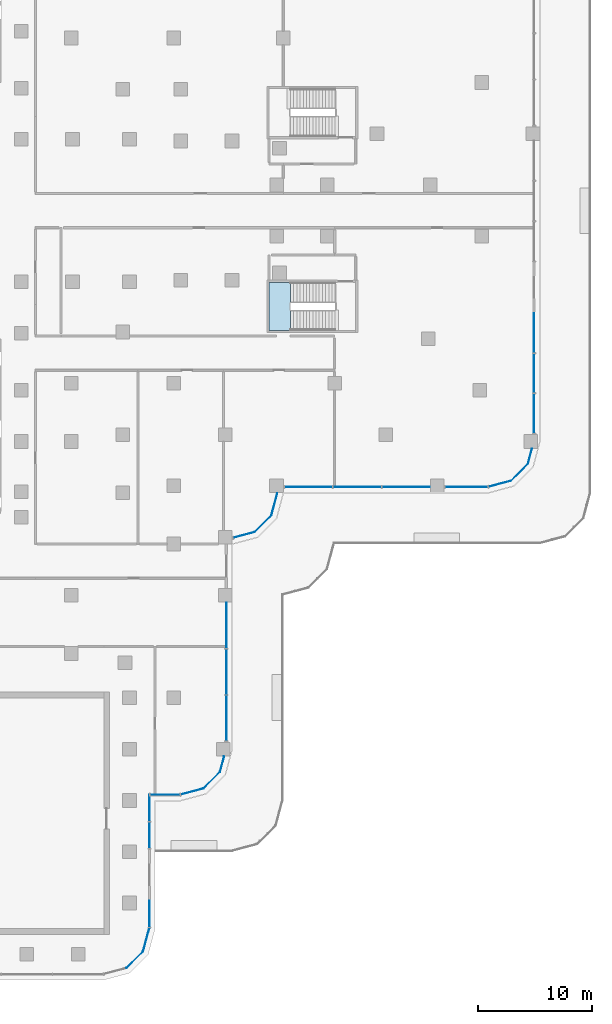
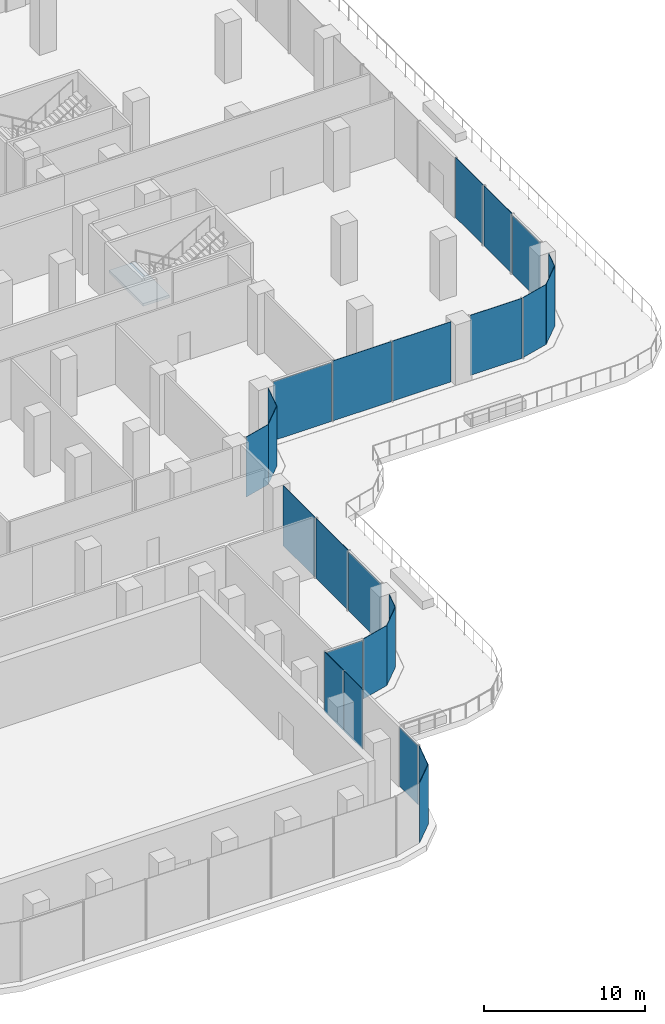
# One storey, part 12 of 30: 25 plates, 1 slab, 17 elements without a shape of their own.
"""IFC4 building model written with IfcOpenShell, lengths in metres."""

from ifc_helpers import new_model, si_unit, direction, frame, origin, place, context, subcontext, project, spatial, polyline, outline, extrude, source, transform, mapped, material, layer, layer_set, type_object, element, aggregate, save


model = new_model("IFC4")

# Units and contexts
model_context = context("Model", 3, precision=1e-05, world=origin(), true_north=direction((0.0, 1.0)))
body_context = subcontext(model_context, "Body", "Model", "MODEL_VIEW")
ifc_project = project(units=[si_unit("LENGTHUNIT", "METRE"), si_unit("AREAUNIT", "SQUARE_METRE"), si_unit("VOLUMEUNIT", "CUBIC_METRE"), si_unit("PLANEANGLEUNIT", "RADIAN"), si_unit("MASSUNIT", "GRAM", prefix="KILO")], contexts=[model_context])

# Site, building, storey
site_placement = place(None, origin())
site = spatial("IfcSite", under=ifc_project, at=site_placement, CompositionType="ELEMENT")
building_placement = place(site_placement, origin())
building = spatial("IfcBuilding", under=site, at=building_placement, Name="Zarbagh Exchange Tower", CompositionType="ELEMENT")
storey_placement = place(building_placement, frame((0.0, 0.0, 7.0)))
storey = spatial("IfcBuildingStorey", under=building, at=storey_placement, Name="L01", CompositionType="ELEMENT", Elevation=7.0)

# Stair, slab
ifc_material_1 = material(Name="Concrete C40/50", Category="concrete")
stair_type = type_object("IfcStairType", Name="Exit stair two-flight half-turn", PredefinedType="HALF_TURN_STAIR", material=ifc_material_1)
stair_placement = place(storey_placement, origin())
stair = element("IfcStair", 1, at=stair_placement, inside=storey, type_object=stair_type, Name="exit stair PS6", PredefinedType="HALF_TURN_STAIR")
ifc_layer_1 = layer(ifc_material_1, 0.199951171875)
ifc_layer_set_1 = layer_set([ifc_layer_1], Name="Stair landing 200 mm")
slab_type = type_object("IfcSlabType", Name="Stair landing 200 mm", PredefinedType="LANDING", material=ifc_layer_set_1)
slab_placement = place(storey_placement, frame((0.0, 0.0, 2.300048828125)))
slab = element("IfcSlab", 2, at=slab_placement, type_object=slab_type, Name="PS6 landing 1", PredefinedType="LANDING", context=body_context, shape_type="SweptSolid", body=[
    extrude(outline(polyline([(29.8798828125, -6.300048828125), (28.0, -6.300048828125), (28.0, -10.5), (29.8798828125, -10.5), (29.8798828125, -6.300048828125)])), origin(), (0.0, 0.0, 1.0), 0.199951171875),
])
aggregate(stair, [slab])

# Curtain wall, plate
ifc_material_2 = material(Name="Anodised aluminium frame and glazing", Category="aluminium")
curtain_wall_type_1 = type_object("IfcCurtainWallType", Name="CWD Exchange hall wall glazing", PredefinedType="NOTDEFINED", material=ifc_material_2)
curtain_wall_1_placement = place(storey_placement, origin())
curtain_wall_1 = element("IfcCurtainWall", 3, at=curtain_wall_1_placement, inside=storey, type_object=curtain_wall_type_1, Name="CWD02 curtain wall", PredefinedType="NOTDEFINED")
ifc_material_3 = material(Name="Low-e double glazed unit, 6+12+6 mm")
ifc_layer_2 = layer(ifc_material_3, 0.035888671875)
ifc_layer_set_2 = layer_set([ifc_layer_2], Name="PAD Glazing panel, Low-e double glazed unit, 6+12+6 mm")
plate_type_1 = type_object("IfcPlateType", Name="PAD Glazing panel, Low-e double glazed unit, 6+12+6 mm", PredefinedType="CURTAIN_PANEL", material=ifc_layer_set_2)
shared_shape_1 = source(origin(), body_context, "Body", "SweptSolid", [
    extrude(outline(polyline([(0.0, -0.01806640625), (2.061279296875, -0.01806640625), (2.061279296875, 0.01806640625), (0.0, 0.01806640625), (0.0, -0.01806640625)])), origin(), (0.0, 0.0, 1.0), 4.550048828125),
])
placement = place(storey_placement, origin())
plate_1 = element("IfcPlate", 4, at=placement, type_object=plate_type_1, Name="CWD02 glazing panel 1.1", PredefinedType="CURTAIN_PANEL", context=body_context, shape_type="MappedRepresentation", body=[
    mapped(shared_shape_1, transform((15.4912109375, -66.44873046875, 0.0), x_axis=(0.707106781187, 0.707106781187, 0.0), y_axis=(-0.707106781187, 0.707106781187, 0.0), z_axis=(0.0, 0.0, 1.0))),
])
aggregate(curtain_wall_1, [plate_1])

curtain_wall_2_placement = place(storey_placement, origin())
curtain_wall_2 = element("IfcCurtainWall", 5, at=curtain_wall_2_placement, inside=storey, type_object=curtain_wall_type_1, Name="CWD03 curtain wall", PredefinedType="NOTDEFINED")
shared_shape_2 = source(origin(), body_context, "Body", "SweptSolid", [
    extrude(outline(polyline([(0.0, -0.01806640625), (2.129638671875, -0.01806640625), (2.129638671875, 0.01806640625), (0.0, 0.01806640625), (0.0, -0.01806640625)])), origin(), (0.0, 0.0, 1.0), 4.550048828125),
])
plate_2 = element("IfcPlate", 6, at=placement, type_object=plate_type_1, Name="CWD03 glazing panel 1.1", PredefinedType="CURTAIN_PANEL", context=body_context, shape_type="MappedRepresentation", body=[
    mapped(shared_shape_2, transform((16.94873046875, -64.9912109375, 0.0), x_axis=(0.258824779902, 0.965924289636, 0.0), y_axis=(-0.965924289636, 0.258824779902, 0.0), z_axis=(0.0, 0.0, 1.0))),
])
aggregate(curtain_wall_2, [plate_2])

# Curtain wall, plates
curtain_wall_3_placement = place(storey_placement, origin())
curtain_wall_3 = element("IfcCurtainWall", 7, at=curtain_wall_3_placement, inside=storey, type_object=curtain_wall_type_1, Name="CWD10 curtain wall", PredefinedType="NOTDEFINED")
shared_shape_3 = source(origin(), body_context, "Body", "SweptSolid", [
    extrude(outline(polyline([(0.0, -0.01806640625), (2.31201171875, -0.01806640625), (2.31201171875, 0.01806640625), (0.0, 0.01806640625), (0.0, -0.01806640625)])), origin(), (0.0, 0.0, 1.0), 4.469970703125),
])
plate_3 = element("IfcPlate", 8, at=placement, type_object=plate_type_1, Name="CWD10 glazing panel 1.1", PredefinedType="CURTAIN_PANEL", context=body_context, shape_type="MappedRepresentation", body=[
    mapped(shared_shape_3, transform((17.5, -62.854248046875, 0.0), x_axis=(0.0, 1.0, 0.0), y_axis=(-1.0, 0.0, 0.0), z_axis=(0.0, 0.0, 1.0))),
])
shared_shape_4 = source(origin(), body_context, "Body", "SweptSolid", [
    extrude(outline(polyline([(0.0, -0.01806640625), (2.316162109375, -0.01806640625), (2.316162109375, 0.01806640625), (0.0, 0.01806640625), (0.0, -0.01806640625)])), origin(), (0.0, 0.0, 1.0), 4.550048828125),
])
plate_4 = element("IfcPlate", 9, at=placement, type_object=plate_type_1, Name="CWD10 glazing panel 2.1", PredefinedType="CURTAIN_PANEL", context=body_context, shape_type="MappedRepresentation", body=[
    mapped(shared_shape_4, transform((17.5, -55.962158203125, 0.0), x_axis=(0.0, 1.0, 0.0), y_axis=(-1.0, 0.0, 0.0), z_axis=(0.0, 0.0, 1.0))),
])
plate_5 = element("IfcPlate", 10, at=placement, type_object=plate_type_1, Name="CWD10 glazing panel 2.2", PredefinedType="CURTAIN_PANEL", context=body_context, shape_type="MappedRepresentation", body=[
    mapped(shared_shape_4, transform((17.5, -53.56591796875, 0.0), x_axis=(0.0, 1.0, 0.0), y_axis=(-1.0, 0.0, 0.0), z_axis=(0.0, 0.0, 1.0))),
])
aggregate(curtain_wall_3, [plate_3, plate_4, plate_5])

# Curtain wall, plate
curtain_wall_type_2 = type_object("IfcCurtainWallType", Name="CWC Podium garden-wall glazing", PredefinedType="NOTDEFINED", material=ifc_material_2)
curtain_wall_4_placement = place(storey_placement, origin())
curtain_wall_4 = element("IfcCurtainWall", 11, at=curtain_wall_4_placement, inside=storey, type_object=curtain_wall_type_2, Name="CWC50 curtain wall", PredefinedType="NOTDEFINED")
ifc_layer_3 = layer(ifc_material_3, 0.031982421875)
ifc_layer_set_3 = layer_set([ifc_layer_3], Name="PAC Glazing panel, Low-e double glazed unit, 6+12+6 mm")
plate_type_2 = type_object("IfcPlateType", Name="PAC Glazing panel, Low-e double glazed unit, 6+12+6 mm", PredefinedType="CURTAIN_PANEL", material=ifc_layer_set_3)
shared_shape_5 = source(origin(), body_context, "Body", "SweptSolid", [
    extrude(outline(polyline([(0.0, -0.01611328125), (2.604248046875, -0.01611328125), (2.604248046875, 0.01611328125), (0.0, 0.01611328125), (0.0, -0.01611328125)])), origin(), (0.0, 0.0, 1.0), 4.469970703125),
])
plate_6 = element("IfcPlate", 12, at=placement, type_object=plate_type_2, Name="CWC50 glazing panel 1.1", PredefinedType="CURTAIN_PANEL", context=body_context, shape_type="MappedRepresentation", body=[
    mapped(shared_shape_5, transform((17.580078125, -51.25, 0.0), x_axis=(1.0, 0.0, 0.0), y_axis=(0.0, 1.0, 0.0), z_axis=(0.0, 0.0, 1.0))),
])
aggregate(curtain_wall_4, [plate_6])

curtain_wall_5_placement = place(storey_placement, origin())
curtain_wall_5 = element("IfcCurtainWall", 13, at=curtain_wall_5_placement, inside=storey, type_object=curtain_wall_type_2, Name="CWC51 curtain wall", PredefinedType="NOTDEFINED")
shared_shape_6 = source(origin(), body_context, "Body", "SweptSolid", [
    extrude(outline(polyline([(0.0, -0.01611328125), (2.049560546875, -0.01611328125), (2.049560546875, 0.01611328125), (0.0, 0.01611328125), (0.0, -0.01611328125)])), origin(), (0.0, 0.0, 1.0), 4.550048828125),
])
plate_7 = element("IfcPlate", 14, at=placement, type_object=plate_type_2, Name="CWC51 glazing panel 1.1", PredefinedType="CURTAIN_PANEL", context=body_context, shape_type="MappedRepresentation", body=[
    mapped(shared_shape_6, transform((20.261474609375, -51.229248046875, 0.0), x_axis=(0.965924289636, 0.258824779902, 0.0), y_axis=(-0.258824779902, 0.965924289636, 0.0), z_axis=(0.0, 0.0, 1.0))),
])
aggregate(curtain_wall_5, [plate_7])

curtain_wall_6_placement = place(storey_placement, origin())
curtain_wall_6 = element("IfcCurtainWall", 15, at=curtain_wall_6_placement, inside=storey, type_object=curtain_wall_type_2, Name="CWC59 curtain wall", PredefinedType="NOTDEFINED")
plate_8 = element("IfcPlate", 16, at=placement, type_object=plate_type_2, Name="CWC59 glazing panel 1.1", PredefinedType="CURTAIN_PANEL", context=body_context, shape_type="MappedRepresentation", body=[
    mapped(shared_shape_6, transform((47.261474609375, -24.229248046875, 0.0), x_axis=(0.965924289636, 0.258824779902, 0.0), y_axis=(-0.258824779902, 0.965924289636, 0.0), z_axis=(0.0, 0.0, 1.0))),
])
aggregate(curtain_wall_6, [plate_8])

curtain_wall_7_placement = place(storey_placement, origin())
curtain_wall_7 = element("IfcCurtainWall", 17, at=curtain_wall_7_placement, inside=storey, type_object=curtain_wall_type_2, Name="CWC52 curtain wall", PredefinedType="NOTDEFINED")
shared_shape_7 = source(origin(), body_context, "Body", "SweptSolid", [
    extrude(outline(polyline([(0.0, -0.01611328125), (2.061279296875, -0.01611328125), (2.061279296875, 0.01611328125), (0.0, 0.01611328125), (0.0, -0.01611328125)])), origin(), (0.0, 0.0, 1.0), 4.550048828125),
])
plate_9 = element("IfcPlate", 18, at=placement, type_object=plate_type_2, Name="CWC52 glazing panel 1.1", PredefinedType="CURTAIN_PANEL", context=body_context, shape_type="MappedRepresentation", body=[
    mapped(shared_shape_7, transform((22.2412109375, -50.69873046875, 0.0), x_axis=(0.707106781187, 0.707106781187, 0.0), y_axis=(-0.707106781187, 0.707106781187, 0.0), z_axis=(0.0, 0.0, 1.0))),
])
aggregate(curtain_wall_7, [plate_9])

curtain_wall_8_placement = place(storey_placement, origin())
curtain_wall_8 = element("IfcCurtainWall", 19, at=curtain_wall_8_placement, inside=storey, type_object=curtain_wall_type_2, Name="CWC56 curtain wall", PredefinedType="NOTDEFINED")
plate_10 = element("IfcPlate", 20, at=placement, type_object=plate_type_2, Name="CWC56 glazing panel 1.1", PredefinedType="CURTAIN_PANEL", context=body_context, shape_type="MappedRepresentation", body=[
    mapped(shared_shape_7, transform((26.7412109375, -28.19873046875, 0.0), x_axis=(0.707106781187, 0.707106781187, 0.0), y_axis=(-0.707106781187, 0.707106781187, 0.0), z_axis=(0.0, 0.0, 1.0))),
])
aggregate(curtain_wall_8, [plate_10])

curtain_wall_9_placement = place(storey_placement, origin())
curtain_wall_9 = element("IfcCurtainWall", 21, at=curtain_wall_9_placement, inside=storey, type_object=curtain_wall_type_2, Name="CWC60 curtain wall", PredefinedType="NOTDEFINED")
plate_11 = element("IfcPlate", 22, at=placement, type_object=plate_type_2, Name="CWC60 glazing panel 1.1", PredefinedType="CURTAIN_PANEL", context=body_context, shape_type="MappedRepresentation", body=[
    mapped(shared_shape_7, transform((49.2412109375, -23.69873046875, 0.0), x_axis=(0.707106781187, 0.707106781187, 0.0), y_axis=(-0.707106781187, 0.707106781187, 0.0), z_axis=(0.0, 0.0, 1.0))),
])
aggregate(curtain_wall_9, [plate_11])

curtain_wall_10_placement = place(storey_placement, origin())
curtain_wall_10 = element("IfcCurtainWall", 23, at=curtain_wall_10_placement, inside=storey, type_object=curtain_wall_type_2, Name="CWC53 curtain wall", PredefinedType="NOTDEFINED")
shared_shape_8 = source(origin(), body_context, "Body", "SweptSolid", [
    extrude(outline(polyline([(0.0, -0.01611328125), (1.398681640625, -0.01611328125), (1.398681640625, 0.01611328125), (0.0, 0.01611328125), (0.0, -0.01611328125)])), origin(), (0.0, 0.0, 1.0), 4.550048828125),
])
plate_12 = element("IfcPlate", 24, at=placement, type_object=plate_type_2, Name="CWC53 glazing panel 1.1", PredefinedType="CURTAIN_PANEL", context=body_context, shape_type="MappedRepresentation", body=[
    mapped(shared_shape_8, transform((23.69873046875, -49.2412109375, 0.0), x_axis=(0.258824779902, 0.965924289636, 0.0), y_axis=(-0.965924289636, 0.258824779902, 0.0), z_axis=(0.0, 0.0, 1.0))),
])
aggregate(curtain_wall_10, [plate_12])

curtain_wall_11_placement = place(storey_placement, origin())
curtain_wall_11 = element("IfcCurtainWall", 25, at=curtain_wall_11_placement, inside=storey, type_object=curtain_wall_type_2, Name="CWC61 curtain wall", PredefinedType="NOTDEFINED")
plate_13 = element("IfcPlate", 26, at=placement, type_object=plate_type_2, Name="CWC61 glazing panel 1.1", PredefinedType="CURTAIN_PANEL", context=body_context, shape_type="MappedRepresentation", body=[
    mapped(shared_shape_8, transform((50.69873046875, -22.2412109375, 0.0), x_axis=(0.258824779902, 0.965924289636, 0.0), y_axis=(-0.965924289636, 0.258824779902, 0.0), z_axis=(0.0, 0.0, 1.0))),
])
aggregate(curtain_wall_11, [plate_13])

# Curtain wall, plates
curtain_wall_12_placement = place(storey_placement, origin())
curtain_wall_12 = element("IfcCurtainWall", 27, at=curtain_wall_12_placement, inside=storey, type_object=curtain_wall_type_2, Name="CWC54 curtain wall", PredefinedType="NOTDEFINED")
shared_shape_9 = source(origin(), body_context, "Body", "SweptSolid", [
    extrude(outline(polyline([(0.0, -0.01611328125), (3.993408203125, -0.01611328125), (3.993408203125, 0.01611328125), (0.0, 0.01611328125), (0.0, -0.01611328125)])), origin(), (0.0, 0.0, 1.0), 4.469970703125),
])
plate_14 = element("IfcPlate", 28, at=placement, type_object=plate_type_2, Name="CWC54 glazing panel 1.1", PredefinedType="CURTAIN_PANEL", context=body_context, shape_type="MappedRepresentation", body=[
    mapped(shared_shape_9, transform((24.25, -46.530029296875, 0.0), x_axis=(0.0, 1.0, 0.0), y_axis=(-1.0, 0.0, 0.0), z_axis=(0.0, 0.0, 1.0))),
])
shared_shape_10 = source(origin(), body_context, "Body", "SweptSolid", [
    extrude(outline(polyline([(0.0, -0.01611328125), (3.993408203125, -0.01611328125), (3.993408203125, 0.01611328125), (0.0, 0.01611328125), (0.0, -0.01611328125)])), origin(), (0.0, 0.0, 1.0), 4.550048828125),
])
plate_15 = element("IfcPlate", 29, at=placement, type_object=plate_type_2, Name="CWC54 glazing panel 1.2", PredefinedType="CURTAIN_PANEL", context=body_context, shape_type="MappedRepresentation", body=[
    mapped(shared_shape_10, transform((24.25, -42.45654296875, 0.0), x_axis=(0.0, 1.0, 0.0), y_axis=(-1.0, 0.0, 0.0), z_axis=(0.0, 0.0, 1.0))),
])
plate_16 = element("IfcPlate", 30, at=placement, type_object=plate_type_2, Name="CWC54 glazing panel 1.3", PredefinedType="CURTAIN_PANEL", context=body_context, shape_type="MappedRepresentation", body=[
    mapped(shared_shape_10, transform((24.25, -38.38330078125, 0.0), x_axis=(0.0, 1.0, 0.0), y_axis=(-1.0, 0.0, 0.0), z_axis=(0.0, 0.0, 1.0))),
])
aggregate(curtain_wall_12, [plate_14, plate_15, plate_16])

# Curtain wall, plate
curtain_wall_13_placement = place(storey_placement, origin())
curtain_wall_13 = element("IfcCurtainWall", 31, at=curtain_wall_13_placement, inside=storey, type_object=curtain_wall_type_2, Name="CWC55 curtain wall", PredefinedType="NOTDEFINED")
shared_shape_11 = source(origin(), body_context, "Body", "SweptSolid", [
    extrude(outline(polyline([(0.0, -0.01611328125), (1.93994140625, -0.01611328125), (1.93994140625, 0.01611328125), (0.0, 0.01611328125), (0.0, -0.01611328125)])), origin(), (0.0, 0.0, 1.0), 4.550048828125),
])
plate_17 = element("IfcPlate", 32, at=placement, type_object=plate_type_2, Name="CWC55 glazing panel 1.1", PredefinedType="CURTAIN_PANEL", context=body_context, shape_type="MappedRepresentation", body=[
    mapped(shared_shape_11, transform((24.867431640625, -28.700927734375, 0.0), x_axis=(0.965924289636, 0.258824779902, 0.0), y_axis=(-0.258824779902, 0.965924289636, 0.0), z_axis=(0.0, 0.0, 1.0))),
])
aggregate(curtain_wall_13, [plate_17])

curtain_wall_14_placement = place(storey_placement, origin())
curtain_wall_14 = element("IfcCurtainWall", 33, at=curtain_wall_14_placement, inside=storey, type_object=curtain_wall_type_2, Name="CWC57 curtain wall", PredefinedType="NOTDEFINED")
shared_shape_12 = source(origin(), body_context, "Body", "SweptSolid", [
    extrude(outline(polyline([(0.0, -0.01611328125), (2.02001953125, -0.01611328125), (2.02001953125, 0.01611328125), (0.0, 0.01611328125), (0.0, -0.01611328125)])), origin(), (0.0, 0.0, 1.0), 4.550048828125),
])
plate_18 = element("IfcPlate", 34, at=placement, type_object=plate_type_2, Name="CWC57 glazing panel 1.1", PredefinedType="CURTAIN_PANEL", context=body_context, shape_type="MappedRepresentation", body=[
    mapped(shared_shape_12, transform((28.19873046875, -26.7412109375, 0.0), x_axis=(0.258824779902, 0.965924289636, 0.0), y_axis=(-0.965924289636, 0.258824779902, 0.0), z_axis=(0.0, 0.0, 1.0))),
])
aggregate(curtain_wall_14, [plate_18])

# Curtain wall, plates
curtain_wall_15_placement = place(storey_placement, origin())
curtain_wall_15 = element("IfcCurtainWall", 35, at=curtain_wall_15_placement, inside=storey, type_object=curtain_wall_type_2, Name="CWC58 curtain wall", PredefinedType="NOTDEFINED")
shared_shape_13 = source(origin(), body_context, "Body", "SweptSolid", [
    extrude(outline(polyline([(0.0, -0.01611328125), (4.193359375, -0.01611328125), (4.193359375, 0.01611328125), (0.0, 0.01611328125), (0.0, -0.01611328125)])), origin(), (0.0, 0.0, 1.0), 4.469970703125),
])
plate_19 = element("IfcPlate", 36, at=placement, type_object=plate_type_2, Name="CWC58 glazing panel 1.1", PredefinedType="CURTAIN_PANEL", context=body_context, shape_type="MappedRepresentation", body=[
    mapped(shared_shape_13, transform((29.3701171875, -24.25, 0.0), x_axis=(1.0, 0.0, 0.0), y_axis=(0.0, 1.0, 0.0), z_axis=(0.0, 0.0, 1.0))),
])
shared_shape_14 = source(origin(), body_context, "Body", "SweptSolid", [
    extrude(outline(polyline([(0.0, -0.01611328125), (4.193359375, -0.01611328125), (4.193359375, 0.01611328125), (0.0, 0.01611328125), (0.0, -0.01611328125)])), origin(), (0.0, 0.0, 1.0), 4.550048828125),
])
plate_20 = element("IfcPlate", 37, at=placement, type_object=plate_type_2, Name="CWC58 glazing panel 1.2", PredefinedType="CURTAIN_PANEL", context=body_context, shape_type="MappedRepresentation", body=[
    mapped(shared_shape_14, transform((33.643310546875, -24.25, 0.0), x_axis=(1.0, 0.0, 0.0), y_axis=(0.0, 1.0, 0.0), z_axis=(0.0, 0.0, 1.0))),
])
plate_21 = element("IfcPlate", 38, at=placement, type_object=plate_type_2, Name="CWC58 glazing panel 1.3", PredefinedType="CURTAIN_PANEL", context=body_context, shape_type="MappedRepresentation", body=[
    mapped(shared_shape_14, transform((37.916748046875, -24.25, 0.0), x_axis=(1.0, 0.0, 0.0), y_axis=(0.0, 1.0, 0.0), z_axis=(0.0, 0.0, 1.0))),
])
shared_shape_15 = source(origin(), body_context, "Body", "SweptSolid", [
    extrude(outline(polyline([(0.0, -0.01611328125), (3.714111328125, -0.01611328125), (3.714111328125, 0.01611328125), (0.0, 0.01611328125), (0.0, -0.01611328125)])), origin(), (0.0, 0.0, 1.0), 4.550048828125),
])
plate_22 = element("IfcPlate", 39, at=placement, type_object=plate_type_2, Name="CWC58 glazing panel 2.1", PredefinedType="CURTAIN_PANEL", context=body_context, shape_type="MappedRepresentation", body=[
    mapped(shared_shape_15, transform((43.469970703125, -24.25, 0.0), x_axis=(1.0, 0.0, 0.0), y_axis=(0.0, 1.0, 0.0), z_axis=(0.0, 0.0, 1.0))),
])
aggregate(curtain_wall_15, [plate_19, plate_20, plate_21, plate_22])

curtain_wall_16_placement = place(storey_placement, origin())
curtain_wall_16 = element("IfcCurtainWall", 40, at=curtain_wall_16_placement, inside=storey, type_object=curtain_wall_type_2, Name="CWC62 curtain wall", PredefinedType="NOTDEFINED")
shared_shape_16 = source(origin(), body_context, "Body", "SweptSolid", [
    extrude(outline(polyline([(0.0, -0.01611328125), (3.456787109375, -0.01611328125), (3.456787109375, 0.01611328125), (0.0, 0.01611328125), (0.0, -0.01611328125)])), origin(), (0.0, 0.0, 1.0), 4.469970703125),
])
plate_23 = element("IfcPlate", 41, at=placement, type_object=plate_type_2, Name="CWC62 glazing panel 1.1", PredefinedType="CURTAIN_PANEL", context=body_context, shape_type="MappedRepresentation", body=[
    mapped(shared_shape_16, transform((51.25, -19.530029296875, 0.0), x_axis=(0.0, 1.0, 0.0), y_axis=(-1.0, 0.0, 0.0), z_axis=(0.0, 0.0, 1.0))),
])
shared_shape_17 = source(origin(), body_context, "Body", "SweptSolid", [
    extrude(outline(polyline([(0.0, -0.01611328125), (3.456787109375, -0.01611328125), (3.456787109375, 0.01611328125), (0.0, 0.01611328125), (0.0, -0.01611328125)])), origin(), (0.0, 0.0, 1.0), 4.550048828125),
])
plate_24 = element("IfcPlate", 42, at=placement, type_object=plate_type_2, Name="CWC62 glazing panel 1.2", PredefinedType="CURTAIN_PANEL", context=body_context, shape_type="MappedRepresentation", body=[
    mapped(shared_shape_17, transform((51.25, -15.993408203125, 0.0), x_axis=(0.0, 1.0, 0.0), y_axis=(-1.0, 0.0, 0.0), z_axis=(0.0, 0.0, 1.0))),
])
plate_25 = element("IfcPlate", 43, at=placement, type_object=plate_type_2, Name="CWC62 glazing panel 1.3", PredefinedType="CURTAIN_PANEL", context=body_context, shape_type="MappedRepresentation", body=[
    mapped(shared_shape_17, transform((51.25, -12.45654296875, 0.0), x_axis=(0.0, 1.0, 0.0), y_axis=(-1.0, 0.0, 0.0), z_axis=(0.0, 0.0, 1.0))),
])
aggregate(curtain_wall_16, [plate_23, plate_24, plate_25])

save(model, "model.ifc")
